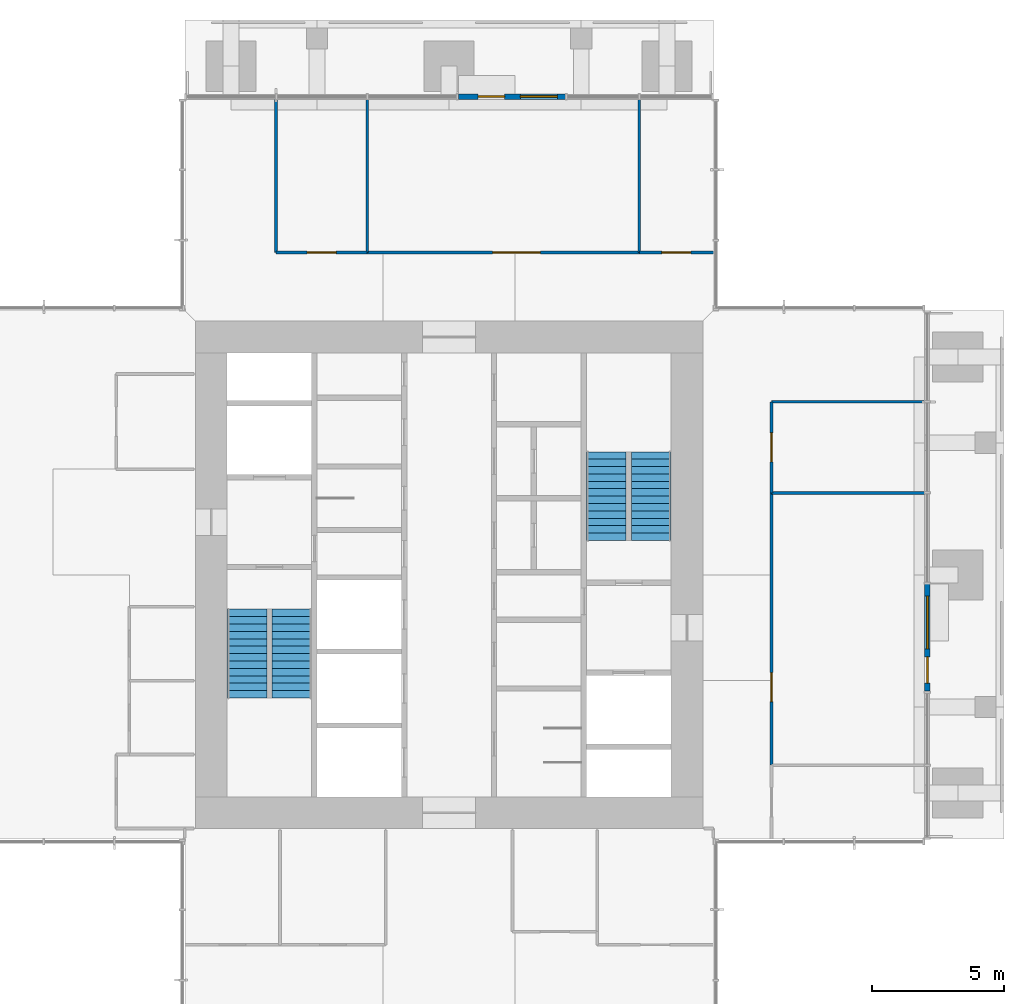
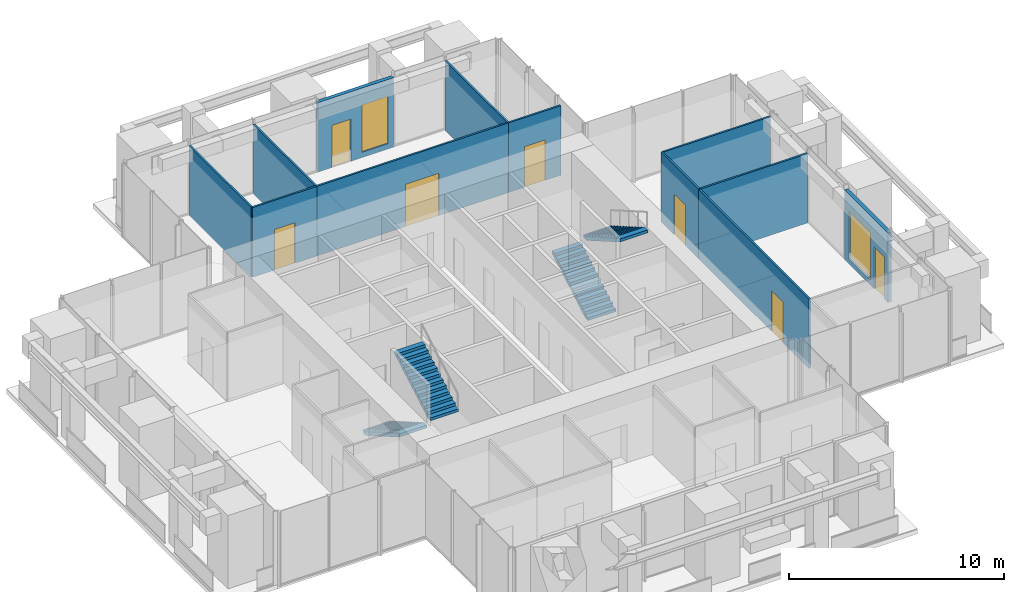
# One storey, part 9 of 12: 12 walls, 7 doors, 4 stair flights, 2 windows, 9 openings, 2 elements without a shape of their own.
"""IFC4 building model written with IfcOpenShell, lengths in metres."""

from ifc_helpers import new_model, si_unit, direction, frame, frame_2d, origin, place, context, subcontext, project, spatial, polyline, rectangle, outline, extrude, material, layer, layer_set, type_object, element, fill, aggregate, save


model = new_model("IFC4")

# Units and contexts
model_context = context("Model", 3, precision=1e-05, world=origin(), true_north=direction((0.0, 1.0)))
body_context = subcontext(model_context, "Body", "Model", "MODEL_VIEW")
ifc_project = project(units=[si_unit("LENGTHUNIT", "METRE"), si_unit("AREAUNIT", "SQUARE_METRE"), si_unit("VOLUMEUNIT", "CUBIC_METRE"), si_unit("PLANEANGLEUNIT", "RADIAN"), si_unit("MASSUNIT", "GRAM", prefix="KILO")], contexts=[model_context])

# Site, building, storey
site_placement = place(None, origin())
site = spatial("IfcSite", under=ifc_project, at=site_placement, CompositionType="ELEMENT")
building_placement = place(site_placement, origin())
building = spatial("IfcBuilding", under=site, at=building_placement, Name="Svetlomir Tower", CompositionType="ELEMENT")
storey_placement = place(building_placement, frame((0.0, 0.0, 252.39990234375)))
storey = spatial("IfcBuildingStorey", under=building, at=storey_placement, Name="L60", CompositionType="ELEMENT", Elevation=252.39990234375)

# Wall, openings, door, window
ifc_material_1 = material(Name="Bronze anodised aluminium glazed screen", Category="aluminium")
ifc_layer_1 = layer(ifc_material_1, 0.199951171875)
ifc_layer_set_1 = layer_set([ifc_layer_1], Name="Bronze anodised aluminium glazed screen")
wall_type_1 = type_object("IfcWallType", Name="BALCONY SCREEN WALL 200", PredefinedType="USERDEFINED", material=ifc_layer_set_1)
wall_1_placement = place(storey_placement, frame((39.10009765625, 16.60009765625, 0.0), z_axis=(0.0, 0.0, 1.0), x_axis=(0.0, 1.0, 0.0)))
wall_1 = element("IfcWall", 1, at=wall_1_placement, inside=storey, type_object=wall_type_1, Name="Balcony screen E", ObjectType="GLAZED SCREEN", PredefinedType="USERDEFINED", context=body_context, shape_type="SweptSolid", body=[
    extrude(rectangle(XDim=4.0498046875, YDim=0.199951171875, at=frame_2d((2.02490234375, 0.0))), origin(), (0.0, 0.0, 1.0), 3.9501953125),
])
opening_1_placement = place(wall_1_placement, frame((0.300048828125, 0.0, 0.0)))
opening_1 = element("IfcOpeningElement", 2, at=opening_1_placement, cuts=wall_1, Name="Opening BD", PredefinedType="OPENING", context=body_context, shape_type="SweptSolid", body=[
    extrude(rectangle(XDim=1.0, YDim=2.39990234375, at=frame_2d((0.5, 1.199951171875))), frame((0.0, 0.10986328125, 0.0), z_axis=(0.0, -1.0, 0.0), x_axis=(1.0, 0.0, 0.0)), (0.0, 0.0, 1.0), 0.219970703125),
])
opening_2_placement = place(wall_1_placement, frame((1.60009765625, 0.0, 0.300048828125)))
opening_2 = element("IfcOpeningElement", 3, at=opening_2_placement, cuts=wall_1, Name="Opening WS", PredefinedType="OPENING", context=body_context, shape_type="SweptSolid", body=[
    extrude(rectangle(XDim=2.0, YDim=2.699951171875, at=frame_2d((1.0, 1.35009765625))), frame((0.0, 0.10986328125, 0.0), z_axis=(0.0, -1.0, 0.0), x_axis=(1.0, 0.0, 0.0)), (0.0, 0.0, 1.0), 0.219970703125),
])
ifc_material_2 = material(Name="Bronze anodised aluminium glazed door", Category="aluminium")
door_type_1 = type_object("IfcDoorType", Name="BALCONY DOOR BD 1000x2400", OperationType="SINGLE_SWING_LEFT", PredefinedType="DOOR", material=ifc_material_2)
door_1_placement = place(opening_1_placement, origin())
door_1 = element("IfcDoor", 4, at=door_1_placement, inside=storey, type_object=door_type_1, Name="Balcony screen E door", OperationType="SINGLE_SWING_LEFT", OverallHeight=2.39990234375, OverallWidth=1.0, PredefinedType="DOOR", context=body_context, shape_type="SweptSolid", body=[
    extrude(rectangle(XDim=1.0, YDim=2.39990234375, at=frame_2d((0.5, 1.199951171875))), frame((0.0, 0.02490234375, 0.0), z_axis=(0.0, -1.0, 0.0), x_axis=(1.0, 0.0, 0.0)), (0.0, 0.0, 1.0), 0.050048828125),
])
fill(opening_1, door_1)
ifc_material_3 = material(Name="Bronze anodised aluminium window", Category="aluminium")
window_type_1 = type_object("IfcWindowType", Name="SCREEN WINDOW WS 2000x2700", PartitioningType="SINGLE_PANEL", PredefinedType="WINDOW", material=ifc_material_3)
window_1_placement = place(opening_2_placement, origin())
window_1 = element("IfcWindow", 5, at=window_1_placement, inside=storey, type_object=window_type_1, Name="Balcony screen E window 1", OverallHeight=2.699951171875, OverallWidth=2.0, PartitioningType="SINGLE_PANEL", PredefinedType="WINDOW", context=body_context, shape_type="SweptSolid", body=[
    extrude(rectangle(XDim=2.0, YDim=2.699951171875, at=frame_2d((1.0, 1.35009765625))), frame((0.0, 0.030029296875, 0.0), z_axis=(0.0, -1.0, 0.0), x_axis=(1.0, 0.0, 0.0)), (0.0, 0.0, 1.0), 0.06005859375),
])
fill(opening_2, window_1)

wall_2_placement = place(storey_placement, frame((25.39990234375, 39.10009765625, 0.0), z_axis=(0.0, 0.0, 1.0), x_axis=(-1.0, 0.0, 0.0)))
wall_2 = element("IfcWall", 6, at=wall_2_placement, inside=storey, type_object=wall_type_1, Name="Balcony screen N", ObjectType="GLAZED SCREEN", PredefinedType="USERDEFINED", context=body_context, shape_type="SweptSolid", body=[
    extrude(rectangle(XDim=4.0498046875, YDim=0.199951171875, at=frame_2d((2.02490234375, 0.0))), origin(), (0.0, 0.0, 1.0), 3.9501953125),
])
opening_3_placement = place(wall_2_placement, frame((2.300048828125, 0.0, 0.0)))
opening_3 = element("IfcOpeningElement", 7, at=opening_3_placement, cuts=wall_2, Name="Opening BD", PredefinedType="OPENING", context=body_context, shape_type="SweptSolid", body=[
    extrude(rectangle(XDim=1.0, YDim=2.39990234375, at=frame_2d((0.5, 1.199951171875))), frame((0.0, 0.10986328125, 0.0), z_axis=(0.0, -1.0, 0.0), x_axis=(1.0, 0.0, 0.0)), (0.0, 0.0, 1.0), 0.219970703125),
])
opening_4_placement = place(wall_2_placement, frame((0.300048828125, 0.0, 0.300048828125)))
opening_4 = element("IfcOpeningElement", 8, at=opening_4_placement, cuts=wall_2, Name="Opening WS2", PredefinedType="OPENING", context=body_context, shape_type="SweptSolid", body=[
    extrude(rectangle(XDim=1.39990234375, YDim=2.699951171875, at=frame_2d((0.699951171875, 1.35009765625))), frame((0.0, 0.10986328125, 0.0), z_axis=(0.0, -1.0, 0.0), x_axis=(1.0, 0.0, 0.0)), (0.0, 0.0, 1.0), 0.219970703125),
])
door_2_placement = place(opening_3_placement, origin())
door_2 = element("IfcDoor", 9, at=door_2_placement, inside=storey, type_object=door_type_1, Name="Balcony screen N door", OperationType="SINGLE_SWING_LEFT", OverallHeight=2.39990234375, OverallWidth=1.0, PredefinedType="DOOR", context=body_context, shape_type="SweptSolid", body=[
    extrude(rectangle(XDim=1.0, YDim=2.39990234375, at=frame_2d((0.5, 1.199951171875))), frame((0.0, 0.02490234375, 0.0), z_axis=(0.0, -1.0, 0.0), x_axis=(1.0, 0.0, 0.0)), (0.0, 0.0, 1.0), 0.050048828125),
])
fill(opening_3, door_2)
ifc_material_4 = material(Name="Bronze anodised aluminium window", Category="aluminium")
window_type_2 = type_object("IfcWindowType", Name="SCREEN WINDOW WS2 1400x2700", PartitioningType="SINGLE_PANEL", PredefinedType="WINDOW", material=ifc_material_4)
window_2_placement = place(opening_4_placement, origin())
window_2 = element("IfcWindow", 10, at=window_2_placement, inside=storey, type_object=window_type_2, Name="Balcony screen N window 1", OverallHeight=2.699951171875, OverallWidth=1.39990234375, PartitioningType="SINGLE_PANEL", PredefinedType="WINDOW", context=body_context, shape_type="SweptSolid", body=[
    extrude(rectangle(XDim=1.39990234375, YDim=2.699951171875, at=frame_2d((0.699951171875, 1.35009765625))), frame((0.0, 0.030029296875, 0.0), z_axis=(0.0, -1.0, 0.0), x_axis=(1.0, 0.0, 0.0)), (0.0, 0.0, 1.0), 0.06005859375),
])
fill(opening_4, window_2)

# Wall
ifc_material_5 = material(Name="Framed laminated glass partition", Category="glass")
ifc_layer_2 = layer(ifc_material_5, 0.10009765625)
ifc_layer_set_2 = layer_set([ifc_layer_2], Name="Framed laminated glass partition")
wall_type_2 = type_object("IfcWallType", Name="GLAZED PARTITION 100", PredefinedType="PARTITIONING", material=ifc_layer_set_2)
wall_3_placement = place(storey_placement, frame((14.449951171875, 33.199951171875, 0.0), z_axis=(0.0, 0.0, 1.0), x_axis=(0.0, 1.0, 0.0)))
element("IfcWall", 11, at=wall_3_placement, inside=storey, type_object=wall_type_2, Name="Partition L60", PredefinedType="PARTITIONING", context=body_context, shape_type="SweptSolid", body=[
    extrude(rectangle(XDim=5.800048828125, YDim=0.10009765625, at=frame_2d((2.89990234375, 0.0))), origin(), (0.0, 0.0, 1.0), 3.9501953125),
])

# Wall, opening, door
wall_4_placement = place(storey_placement, frame((14.449951171875, 33.199951171875, 0.0), z_axis=(0.0, 0.0, 1.0), x_axis=(1.0, 0.0, 0.0)))
wall_4 = element("IfcWall", 12, at=wall_4_placement, inside=storey, type_object=wall_type_2, Name="Partition L60", PredefinedType="PARTITIONING", context=body_context, shape_type="SweptSolid", body=[
    extrude(rectangle(XDim=3.449951171875, YDim=0.10009765625, at=frame_2d((1.72509765625, 0.0))), origin(), (0.0, 0.0, 1.0), 3.9501953125),
])
opening_5_placement = place(wall_4_placement, frame((1.175048828125, 0.0, 0.0)))
opening_5 = element("IfcOpeningElement", 13, at=opening_5_placement, cuts=wall_4, Name="Opening DE", PredefinedType="OPENING", context=body_context, shape_type="SweptSolid", body=[
    extrude(rectangle(XDim=1.10009765625, YDim=2.300048828125, at=frame_2d((0.550048828125, 1.14990234375))), frame((0.0, 0.06005859375, 0.0), z_axis=(0.0, -1.0, 0.0), x_axis=(1.0, 0.0, 0.0)), (0.0, 0.0, 1.0), 0.1201171875),
])
ifc_material_6 = material(Name="Walnut veneered timber door", Category="wood")
door_type_2 = type_object("IfcDoorType", Name="DOOR DE 1100x2300", OperationType="SINGLE_SWING_LEFT", PredefinedType="DOOR", material=ifc_material_6)
door_3_placement = place(opening_5_placement, origin())
door_3 = element("IfcDoor", 14, at=door_3_placement, inside=storey, type_object=door_type_2, Name="Executive office - CEO Real Estate door L60", OperationType="SINGLE_SWING_RIGHT", OverallHeight=2.300048828125, OverallWidth=1.10009765625, PredefinedType="DOOR", context=body_context, shape_type="SweptSolid", body=[
    extrude(rectangle(XDim=1.10009765625, YDim=2.300048828125, at=frame_2d((0.550048828125, 1.14990234375))), frame((0.0, 0.02490234375, 0.0), z_axis=(0.0, -1.0, 0.0), x_axis=(1.0, 0.0, 0.0)), (0.0, 0.0, 1.0), 0.050048828125),
])
fill(opening_5, door_3)

# Wall
wall_5_placement = place(storey_placement, frame((17.89990234375, 33.199951171875, 0.0), z_axis=(0.0, 0.0, 1.0), x_axis=(0.0, 1.0, 0.0)))
element("IfcWall", 15, at=wall_5_placement, inside=storey, type_object=wall_type_2, Name="Partition L60", PredefinedType="PARTITIONING", context=body_context, shape_type="SweptSolid", body=[
    extrude(rectangle(XDim=5.800048828125, YDim=0.10009765625, at=frame_2d((2.89990234375, 0.0))), origin(), (0.0, 0.0, 1.0), 3.9501953125),
])

# Wall, opening, door
wall_6_placement = place(storey_placement, frame((17.89990234375, 33.199951171875, 0.0), z_axis=(0.0, 0.0, 1.0), x_axis=(1.0, 0.0, 0.0)))
wall_6 = element("IfcWall", 16, at=wall_6_placement, inside=storey, type_object=wall_type_2, Name="Glazed partition L60", PredefinedType="PARTITIONING", context=body_context, shape_type="SweptSolid", body=[
    extrude(rectangle(XDim=10.300048828125, YDim=0.10009765625, at=frame_2d((5.14990234375, 0.0))), origin(), (0.0, 0.0, 1.0), 3.9501953125),
])
opening_6_placement = place(wall_6_placement, frame((4.75, 0.0, 0.0)))
opening_6 = element("IfcOpeningElement", 17, at=opening_6_placement, cuts=wall_6, Name="Opening DD", PredefinedType="OPENING", context=body_context, shape_type="SweptSolid", body=[
    extrude(rectangle(XDim=1.800048828125, YDim=2.39990234375, at=frame_2d((0.89990234375, 1.199951171875))), frame((0.0, 0.06005859375, 0.0), z_axis=(0.0, -1.0, 0.0), x_axis=(1.0, 0.0, 0.0)), (0.0, 0.0, 1.0), 0.1201171875),
])
ifc_material_7 = material(Name="Timber door", Category="wood")
door_type_3 = type_object("IfcDoorType", Name="DOOR DD 1800x2400", OperationType="DOUBLE_DOOR_SINGLE_SWING", PredefinedType="DOOR", material=ifc_material_7)
door_4_placement = place(opening_6_placement, origin())
door_4 = element("IfcDoor", 18, at=door_4_placement, inside=storey, type_object=door_type_3, Name="Executive meeting room, 14 seats door L60", OperationType="DOUBLE_DOOR_SINGLE_SWING", OverallHeight=2.39990234375, OverallWidth=1.800048828125, PredefinedType="DOOR", context=body_context, shape_type="SweptSolid", body=[
    extrude(rectangle(XDim=1.800048828125, YDim=2.39990234375, at=frame_2d((0.89990234375, 1.199951171875))), frame((0.0, 0.02490234375, 0.0), z_axis=(0.0, -1.0, 0.0), x_axis=(1.0, 0.0, 0.0)), (0.0, 0.0, 1.0), 0.050048828125),
])
fill(opening_6, door_4)

# Wall
wall_7_placement = place(storey_placement, frame((28.199951171875, 33.199951171875, 0.0), z_axis=(0.0, 0.0, 1.0), x_axis=(0.0, 1.0, 0.0)))
element("IfcWall", 19, at=wall_7_placement, inside=storey, type_object=wall_type_2, Name="Partition L60", PredefinedType="PARTITIONING", context=body_context, shape_type="SweptSolid", body=[
    extrude(rectangle(XDim=5.800048828125, YDim=0.10009765625, at=frame_2d((2.89990234375, 0.0))), origin(), (0.0, 0.0, 1.0), 3.9501953125),
])

# Wall, opening, door
wall_8_placement = place(storey_placement, frame((28.199951171875, 33.199951171875, 0.0), z_axis=(0.0, 0.0, 1.0), x_axis=(1.0, 0.0, 0.0)))
wall_8 = element("IfcWall", 20, at=wall_8_placement, inside=storey, type_object=wall_type_2, Name="Partition L60", PredefinedType="PARTITIONING", context=body_context, shape_type="SweptSolid", body=[
    extrude(rectangle(XDim=2.800048828125, YDim=0.10009765625, at=frame_2d((1.39990234375, 0.0))), origin(), (0.0, 0.0, 1.0), 3.9501953125),
])
opening_7_placement = place(wall_8_placement, frame((0.85009765625, 0.0, 0.0)))
opening_7 = element("IfcOpeningElement", 21, at=opening_7_placement, cuts=wall_8, Name="Opening DE", PredefinedType="OPENING", context=body_context, shape_type="SweptSolid", body=[
    extrude(rectangle(XDim=1.10009765625, YDim=2.300048828125, at=frame_2d((0.550048828125, 1.14990234375))), frame((0.0, 0.06005859375, 0.0), z_axis=(0.0, -1.0, 0.0), x_axis=(1.0, 0.0, 0.0)), (0.0, 0.0, 1.0), 0.1201171875),
])
door_5_placement = place(opening_7_placement, origin())
door_5 = element("IfcDoor", 22, at=door_5_placement, inside=storey, type_object=door_type_2, Name="Executive office - CEO Insurance door L60", OperationType="SINGLE_SWING_LEFT", OverallHeight=2.300048828125, OverallWidth=1.10009765625, PredefinedType="DOOR", context=body_context, shape_type="SweptSolid", body=[
    extrude(rectangle(XDim=1.10009765625, YDim=2.300048828125, at=frame_2d((0.550048828125, 1.14990234375))), frame((0.0, 0.02490234375, 0.0), z_axis=(0.0, -1.0, 0.0), x_axis=(1.0, 0.0, 0.0)), (0.0, 0.0, 1.0), 0.050048828125),
])
fill(opening_7, door_5)

wall_9_placement = place(storey_placement, frame((33.199951171875, 13.800048828125, 0.0), z_axis=(0.0, 0.0, 1.0), x_axis=(0.0, 1.0, 0.0)))
wall_9 = element("IfcWall", 23, at=wall_9_placement, inside=storey, type_object=wall_type_2, Name="Glazed partition L60", PredefinedType="PARTITIONING", context=body_context, shape_type="SweptSolid", body=[
    extrude(rectangle(XDim=10.300048828125, YDim=0.10009765625, at=frame_2d((5.14990234375, 0.0))), origin(), (0.0, 0.0, 1.0), 3.9501953125),
])
opening_8_placement = place(wall_9_placement, frame((2.39990234375, 0.0, 0.0)))
opening_8 = element("IfcOpeningElement", 24, at=opening_8_placement, cuts=wall_9, Name="Opening DE", PredefinedType="OPENING", context=body_context, shape_type="SweptSolid", body=[
    extrude(rectangle(XDim=1.10009765625, YDim=2.300048828125, at=frame_2d((0.550048828125, 1.14990234375))), frame((0.0, 0.06005859375, 0.0), z_axis=(0.0, -1.0, 0.0), x_axis=(1.0, 0.0, 0.0)), (0.0, 0.0, 1.0), 0.1201171875),
])
door_6_placement = place(opening_8_placement, origin())
door_6 = element("IfcDoor", 25, at=door_6_placement, inside=storey, type_object=door_type_2, Name="Executive lounge door L60", OperationType="SINGLE_SWING_RIGHT", OverallHeight=2.300048828125, OverallWidth=1.10009765625, PredefinedType="DOOR", context=body_context, shape_type="SweptSolid", body=[
    extrude(rectangle(XDim=1.10009765625, YDim=2.300048828125, at=frame_2d((0.550048828125, 1.14990234375))), frame((0.0, 0.02490234375, 0.0), z_axis=(0.0, -1.0, 0.0), x_axis=(1.0, 0.0, 0.0)), (0.0, 0.0, 1.0), 0.050048828125),
])
fill(opening_8, door_6)

wall_10_placement = place(storey_placement, frame((33.199951171875, 24.10009765625, 0.0), z_axis=(0.0, 0.0, 1.0), x_axis=(0.0, 1.0, 0.0)))
wall_10 = element("IfcWall", 26, at=wall_10_placement, inside=storey, type_object=wall_type_2, Name="Partition L60", PredefinedType="PARTITIONING", context=body_context, shape_type="SweptSolid", body=[
    extrude(rectangle(XDim=3.449951171875, YDim=0.10009765625, at=frame_2d((1.72509765625, 0.0))), origin(), (0.0, 0.0, 1.0), 3.9501953125),
])
opening_9_placement = place(wall_10_placement, frame((1.175048828125, 0.0, 0.0)))
opening_9 = element("IfcOpeningElement", 27, at=opening_9_placement, cuts=wall_10, Name="Opening DE", PredefinedType="OPENING", context=body_context, shape_type="SweptSolid", body=[
    extrude(rectangle(XDim=1.10009765625, YDim=2.300048828125, at=frame_2d((0.550048828125, 1.14990234375))), frame((0.0, 0.06005859375, 0.0), z_axis=(0.0, -1.0, 0.0), x_axis=(1.0, 0.0, 0.0)), (0.0, 0.0, 1.0), 0.1201171875),
])
door_7_placement = place(opening_9_placement, origin())
door_7 = element("IfcDoor", 28, at=door_7_placement, inside=storey, type_object=door_type_2, Name="Executive office - CEO Energy door L60", OperationType="SINGLE_SWING_LEFT", OverallHeight=2.300048828125, OverallWidth=1.10009765625, PredefinedType="DOOR", context=body_context, shape_type="SweptSolid", body=[
    extrude(rectangle(XDim=1.10009765625, YDim=2.300048828125, at=frame_2d((0.550048828125, 1.14990234375))), frame((0.0, 0.02490234375, 0.0), z_axis=(0.0, -1.0, 0.0), x_axis=(1.0, 0.0, 0.0)), (0.0, 0.0, 1.0), 0.050048828125),
])
fill(opening_9, door_7)

# Walls
for number, where, z_axis, x_axis, name in (
    (29, (33.199951171875, 24.10009765625, 0.0), (0.0, 0.0, 1.0), (1.0, 0.0, 0.0), "Partition L60"),
    (30, (33.199951171875, 27.550048828125, 0.0), (0.0, 0.0, 1.0), (1.0, 0.0, 0.0), "Partition L60"),
):
    element("IfcWall", number, at=place(storey_placement, frame(where, z_axis=z_axis, x_axis=x_axis)), inside=storey, type_object=wall_type_2, Name=name, PredefinedType="PARTITIONING", context=body_context, shape_type="SweptSolid", body=[
        extrude(rectangle(XDim=5.800048828125, YDim=0.10009765625, at=frame_2d((2.89990234375, 0.0))), origin(), (0.0, 0.0, 1.0), 3.9501953125),
    ])

# Stair, stair flights
ifc_material_8 = material(Name="Concrete C60/75", Category="concrete")
stair_type = type_object("IfcStairType", Name="EXIT STAIR 3200 RISE 4200", PredefinedType="HALF_TURN_STAIR", material=ifc_material_8)
stair_1_placement = place(storey_placement, origin())
stair_1 = element("IfcStair", 31, at=stair_1_placement, inside=storey, type_object=stair_type, Name="Stair S1 L60 to L61", PredefinedType="HALF_TURN_STAIR")
ifc_material_9 = material(Name="Concrete C60/75", Category="concrete")
stair_flight_type = type_object("IfcStairFlightType", Name="STAIR FLIGHT 1500 OF 13 RISERS", PredefinedType="STRAIGHT", material=ifc_material_9)
stair_flight_1_placement = place(storey_placement, frame((13.35009765625, 19.699951171875, 0.0), z_axis=(0.0, 0.0, 1.0), x_axis=(0.0, -1.0, 0.0)))
stair_flight_1 = element("IfcStairFlight", 32, at=stair_flight_1_placement, type_object=stair_flight_type, Name="S1 flight 1", NumberOfRisers=13, NumberOfTreads=12, PredefinedType="STRAIGHT", RiserHeight=0.161538462, TreadLength=0.28, context=body_context, shape_type="SweptSolid", body=[
    extrude(outline(polyline([(0.0, 0.0), (0.0, 0.16162109375), (0.280029296875, 0.16162109375), (0.280029296875, 0.322998046875), (0.56005859375, 0.322998046875), (0.56005859375, 0.484619140625), (0.840087890625, 0.484619140625), (0.840087890625, 0.646240234375), (1.1201171875, 0.646240234375), (1.1201171875, 0.8076171875), (1.39990234375, 0.8076171875), (1.39990234375, 0.96923828125), (1.679931640625, 0.96923828125), (1.679931640625, 1.130859375), (1.9599609375, 1.130859375), (1.9599609375, 1.292236328125), (2.239990234375, 1.292236328125), (2.239990234375, 1.453857421875), (2.52001953125, 1.453857421875), (2.52001953125, 1.615478515625), (2.800048828125, 1.615478515625), (2.800048828125, 1.77685546875), (3.080078125, 1.77685546875), (3.080078125, 1.9384765625), (3.360107421875, 1.9384765625), (3.360107421875, 2.10009765625), (3.360107421875, 1.765380859375), (0.300048828125, 0.0), (0.0, 0.0)])), frame((0.0, 0.75, 0.0), z_axis=(0.0, -1.0, 0.0), x_axis=(1.0, 0.0, 0.0)), (0.0, 0.0, 1.0), 1.5),
])
stair_flight_2_placement = place(storey_placement, frame((15.050048828125, 16.340087890625, 2.10009765625), z_axis=(0.0, 0.0, 1.0), x_axis=(0.0, 1.0, 0.0)))
stair_flight_2 = element("IfcStairFlight", 33, at=stair_flight_2_placement, type_object=stair_flight_type, Name="S1 flight 2", NumberOfRisers=13, NumberOfTreads=12, PredefinedType="STRAIGHT", RiserHeight=0.161538462, TreadLength=0.28, context=body_context, shape_type="SweptSolid", body=[
    extrude(outline(polyline([(0.0, 0.0), (0.0, 0.16162109375), (0.280029296875, 0.16162109375), (0.280029296875, 0.322998046875), (0.56005859375, 0.322998046875), (0.56005859375, 0.484619140625), (0.840087890625, 0.484619140625), (0.840087890625, 0.646240234375), (1.1201171875, 0.646240234375), (1.1201171875, 0.8076171875), (1.39990234375, 0.8076171875), (1.39990234375, 0.96923828125), (1.679931640625, 0.96923828125), (1.679931640625, 1.130859375), (1.9599609375, 1.130859375), (1.9599609375, 1.292236328125), (2.239990234375, 1.292236328125), (2.239990234375, 1.453857421875), (2.52001953125, 1.453857421875), (2.52001953125, 1.615478515625), (2.800048828125, 1.615478515625), (2.800048828125, 1.77685546875), (3.080078125, 1.77685546875), (3.080078125, 1.9384765625), (3.360107421875, 1.9384765625), (3.360107421875, 2.10009765625), (3.360107421875, 1.765380859375), (0.300048828125, 0.0), (0.0, 0.0)])), frame((0.0, 0.75, 0.0), z_axis=(0.0, -1.0, 0.0), x_axis=(1.0, 0.0, 0.0)), (0.0, 0.0, 1.0), 1.5),
])
aggregate(stair_1, [stair_flight_1, stair_flight_2])

stair_2_placement = place(storey_placement, origin())
stair_2 = element("IfcStair", 34, at=stair_2_placement, inside=storey, type_object=stair_type, Name="Stair S2 L60 to L61", PredefinedType="HALF_TURN_STAIR")
stair_flight_3_placement = place(storey_placement, frame((26.949951171875, 22.300048828125, 0.0), z_axis=(0.0, 0.0, 1.0), x_axis=(0.0, 1.0, 0.0)))
stair_flight_3 = element("IfcStairFlight", 35, at=stair_flight_3_placement, type_object=stair_flight_type, Name="S2 flight 1", NumberOfRisers=13, NumberOfTreads=12, PredefinedType="STRAIGHT", RiserHeight=0.161538462, TreadLength=0.28, context=body_context, shape_type="SweptSolid", body=[
    extrude(outline(polyline([(0.0, 0.0), (0.0, 0.16162109375), (0.280029296875, 0.16162109375), (0.280029296875, 0.322998046875), (0.56005859375, 0.322998046875), (0.56005859375, 0.484619140625), (0.840087890625, 0.484619140625), (0.840087890625, 0.646240234375), (1.1201171875, 0.646240234375), (1.1201171875, 0.8076171875), (1.39990234375, 0.8076171875), (1.39990234375, 0.96923828125), (1.679931640625, 0.96923828125), (1.679931640625, 1.130859375), (1.9599609375, 1.130859375), (1.9599609375, 1.292236328125), (2.239990234375, 1.292236328125), (2.239990234375, 1.453857421875), (2.52001953125, 1.453857421875), (2.52001953125, 1.615478515625), (2.800048828125, 1.615478515625), (2.800048828125, 1.77685546875), (3.080078125, 1.77685546875), (3.080078125, 1.9384765625), (3.360107421875, 1.9384765625), (3.360107421875, 2.10009765625), (3.360107421875, 1.765380859375), (0.300048828125, 0.0), (0.0, 0.0)])), frame((0.0, 0.75, 0.0), z_axis=(0.0, -1.0, 0.0), x_axis=(1.0, 0.0, 0.0)), (0.0, 0.0, 1.0), 1.5),
])
stair_flight_4_placement = place(storey_placement, frame((28.64990234375, 25.659912109375, 2.10009765625), z_axis=(0.0, 0.0, 1.0), x_axis=(0.0, -1.0, 0.0)))
stair_flight_4 = element("IfcStairFlight", 36, at=stair_flight_4_placement, type_object=stair_flight_type, Name="S2 flight 2", NumberOfRisers=13, NumberOfTreads=12, PredefinedType="STRAIGHT", RiserHeight=0.161538462, TreadLength=0.28, context=body_context, shape_type="SweptSolid", body=[
    extrude(outline(polyline([(0.0, 0.0), (0.0, 0.16162109375), (0.280029296875, 0.16162109375), (0.280029296875, 0.322998046875), (0.56005859375, 0.322998046875), (0.56005859375, 0.484619140625), (0.840087890625, 0.484619140625), (0.840087890625, 0.646240234375), (1.1201171875, 0.646240234375), (1.1201171875, 0.8076171875), (1.39990234375, 0.8076171875), (1.39990234375, 0.96923828125), (1.679931640625, 0.96923828125), (1.679931640625, 1.130859375), (1.9599609375, 1.130859375), (1.9599609375, 1.292236328125), (2.239990234375, 1.292236328125), (2.239990234375, 1.453857421875), (2.52001953125, 1.453857421875), (2.52001953125, 1.615478515625), (2.800048828125, 1.615478515625), (2.800048828125, 1.77685546875), (3.080078125, 1.77685546875), (3.080078125, 1.9384765625), (3.360107421875, 1.9384765625), (3.360107421875, 2.10009765625), (3.360107421875, 1.765380859375), (0.300048828125, 0.0), (0.0, 0.0)])), frame((0.0, 0.75, 0.0), z_axis=(0.0, -1.0, 0.0), x_axis=(1.0, 0.0, 0.0)), (0.0, 0.0, 1.0), 1.5),
])
aggregate(stair_2, [stair_flight_3, stair_flight_4])

save(model, "model.ifc")
